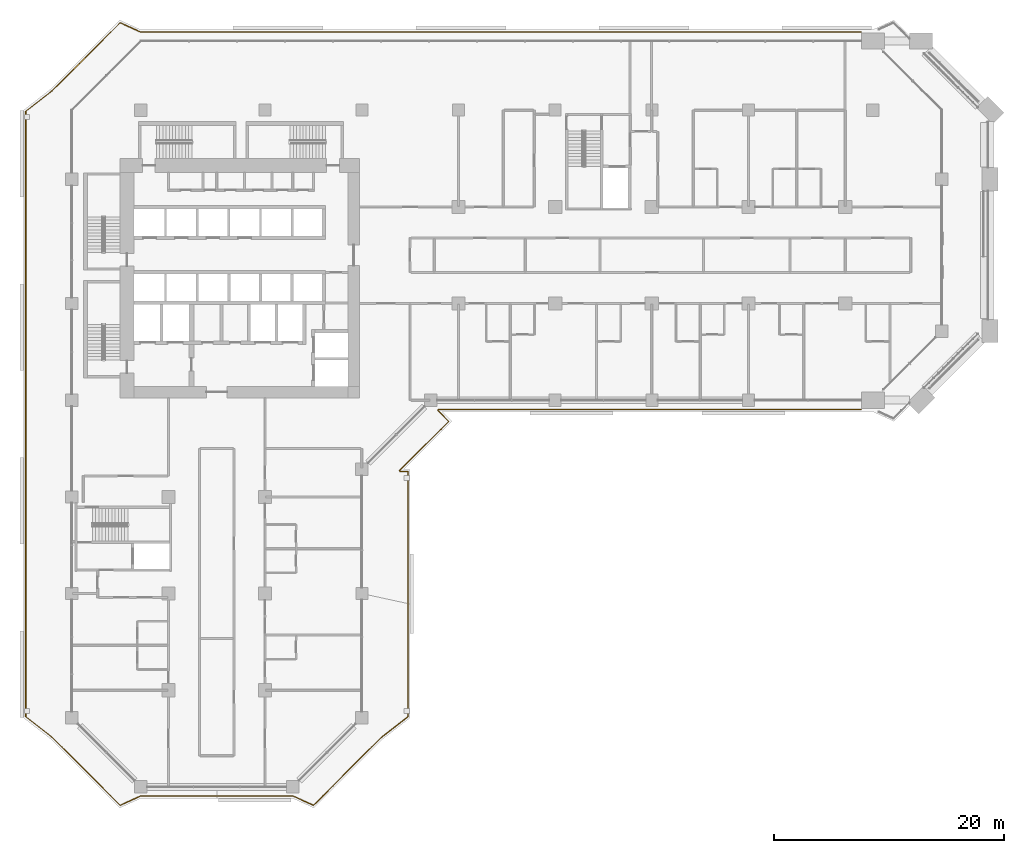
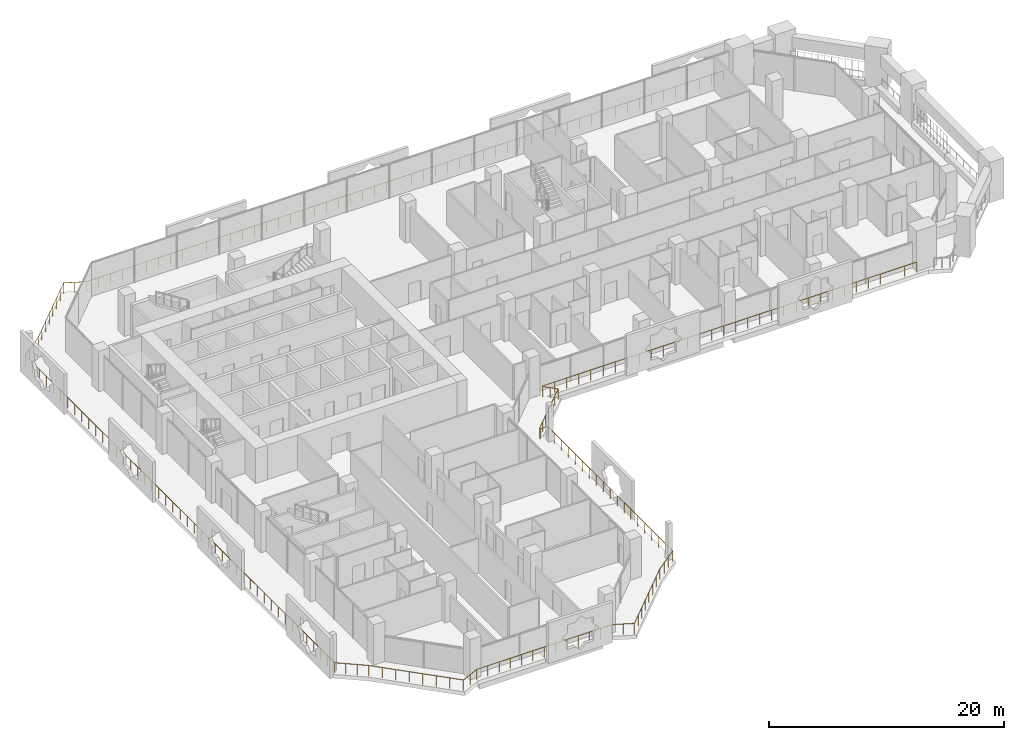
# One storey, part 23 of 25: 1 railing.
"""IFC4 building model written with IfcOpenShell, lengths in metres."""

from ifc_helpers import new_model, si_unit, direction, frame, origin, origin_2d, place, context, subcontext, project, spatial, circle, extrude, material, type_object, element, save


model = new_model("IFC4")

# Units and contexts
model_context = context("Model", 3, precision=1e-05, world=origin(), true_north=direction((0.0, 1.0)))
body_context = subcontext(model_context, "Body", "Model", "MODEL_VIEW")
ifc_project = project(units=[si_unit("LENGTHUNIT", "METRE"), si_unit("AREAUNIT", "SQUARE_METRE"), si_unit("VOLUMEUNIT", "CUBIC_METRE"), si_unit("PLANEANGLEUNIT", "RADIAN"), si_unit("MASSUNIT", "GRAM", prefix="KILO")], contexts=[model_context])

# Site, building, storey
site_placement = place(None, origin())
site = spatial("IfcSite", under=ifc_project, at=site_placement, CompositionType="ELEMENT")
building_placement = place(site_placement, origin())
building = spatial("IfcBuilding", under=site, at=building_placement, Name="Kawkab Arch Medical Tower", CompositionType="ELEMENT")
storey_placement = place(building_placement, frame((0.0, 0.0, 111.39990234375)))
storey = spatial("IfcBuildingStorey", under=building, at=storey_placement, Name="L25", CompositionType="ELEMENT", Elevation=111.39990234375)

# Railing
ifc_material = material(Name="Bronze anodised aluminium guard", Category="aluminium")
railing_type = type_object("IfcRailingType", Name="Loggia and terrace guard 1100", PredefinedType="GUARDRAIL", material=ifc_material)
railing_placement = place(storey_placement, frame((68.570068359375, -26.0, 0.0)))
element("IfcRailing", 1, at=railing_placement, inside=storey, type_object=railing_type, Name="Guard L25.LOG-01.1.2", PredefinedType="GUARDRAIL", context=body_context, shape_type="SweptSolid", body=[
    extrude(circle(Radius=0.02392578125, at=origin_2d()), frame((0.0, 0.0, 1.076171875), z_axis=(-1.0, 0.0, 0.0), x_axis=(0.0, -1.0, 0.0)), (0.0, 0.0, 1.0), 36.719970703125),
    extrude(circle(Radius=0.02392578125, at=origin_2d()), frame((-36.719970703125, 0.0, 1.076171875), z_axis=(-0.383763674343, -0.923431341387, 0.0), x_axis=(0.923431341387, -0.383763674343, 0.0)), (0.0, 0.0, 1.0), 0.101806640625),
    extrude(circle(Radius=0.02392578125, at=origin_2d()), frame((-36.759033203125, -0.093994140625, 1.076171875), z_axis=(0.707015335112, -0.707198215437, 0.0), x_axis=(0.707198215437, 0.707015335112, 0.0)), (0.0, 0.0, 1.0), 1.3349609375),
    extrude(circle(Radius=0.02392578125, at=origin_2d()), frame((-35.815185546875, -1.0380859375, 1.076171875), z_axis=(-0.707025867263, -0.707187685852, 0.0), x_axis=(0.707187685852, -0.707025867263, 0.0)), (0.0, 0.0, 1.0), 6.034912109375),
    extrude(circle(Radius=0.02392578125, at=origin_2d()), frame((-40.08203125, -5.305908203125, 1.076171875), z_axis=(0.383763674343, -0.923431341387, 0.0), x_axis=(0.923431341387, 0.383763674343, 0.0)), (0.0, 0.0, 1.0), 0.101806640625),
    extrude(circle(Radius=0.02392578125, at=origin_2d()), frame((-40.04296875, -5.39990234375, 1.076171875), z_axis=(1.0, 0.0, 0.0), x_axis=(0.0, 1.0, 0.0)), (0.0, 0.0, 1.0), 0.6728515625),
    extrude(circle(Radius=0.02392578125, at=origin_2d()), frame((-39.3701171875, -5.39990234375, 1.076171875), z_axis=(0.0, -1.0, 0.0), x_axis=(1.0, 0.0, 0.0)), (0.0, 0.0, 1.0), 21.302001953125),
    extrude(circle(Radius=0.02392578125, at=origin_2d()), frame((-39.3701171875, -26.701904296875, 1.076171875), z_axis=(-0.789153273162, -0.614196313452, 0.0), x_axis=(0.614196313452, -0.789153273162, 0.0)), (0.0, 0.0, 1.0), 2.908203125),
    extrude(circle(Radius=0.02392578125, at=origin_2d()), frame((-41.6650390625, -28.488037109375, 1.076171875), z_axis=(-0.707106781187, -0.707106781187, 0.0), x_axis=(0.707106781187, -0.707106781187, 0.0)), (0.0, 0.0, 1.0), 8.35791015625),
    extrude(circle(Radius=0.02392578125, at=origin_2d()), frame((-47.574951171875, -34.39794921875, 1.076171875), z_axis=(-0.910092688388, 0.414404752076, 0.0), x_axis=(-0.414404752076, -0.910092688388, 0.0)), (0.0, 0.0, 1.0), 1.92529296875),
    extrude(circle(Radius=0.02392578125, at=origin_2d()), frame((-49.3271484375, -33.60009765625, 1.076171875), z_axis=(-1.0, 0.0, 0.0), x_axis=(0.0, -1.0, 0.0)), (0.0, 0.0, 1.0), 13.285888671875),
    extrude(circle(Radius=0.02392578125, at=origin_2d()), frame((-62.613037109375, -33.60009765625, 1.076171875), z_axis=(-0.910070907914, -0.414452581809, 0.0), x_axis=(0.414452581809, -0.910070907914, 0.0)), (0.0, 0.0, 1.0), 1.925048828125),
    extrude(circle(Radius=0.02392578125, at=origin_2d()), frame((-64.364990234375, -34.39794921875, 1.076171875), z_axis=(-0.707121386154, 0.707092175918, 0.0), x_axis=(-0.707092175918, -0.707121386154, 0.0)), (0.0, 0.0, 1.0), 8.358154296875),
    extrude(circle(Radius=0.02392578125, at=origin_2d()), frame((-70.275146484375, -28.488037109375, 1.076171875), z_axis=(-0.789153273162, 0.614196313452, 0.0), x_axis=(-0.614196313452, -0.789153273162, 0.0)), (0.0, 0.0, 1.0), 2.908203125),
    extrude(circle(Radius=0.02392578125, at=origin_2d()), frame((-72.570068359375, -26.701904296875, 1.076171875), z_axis=(0.0, 1.0, 0.0), x_axis=(-1.0, 0.0, 0.0)), (0.0, 0.0, 1.0), 52.60400390625),
    extrude(circle(Radius=0.02392578125, at=origin_2d()), frame((-72.570068359375, 25.902099609375, 1.076171875), z_axis=(0.789193964876, 0.614144026922, 0.0), x_axis=(-0.614144026922, 0.789193964876, 0.0)), (0.0, 0.0, 1.0), 2.907958984375),
    extrude(circle(Radius=0.02392578125, at=origin_2d()), frame((-70.275146484375, 27.68798828125, 1.076171875), z_axis=(0.707121386154, 0.707092175918, 0.0), x_axis=(-0.707092175918, 0.707121386154, 0.0)), (0.0, 0.0, 1.0), 8.358154296875),
    extrude(circle(Radius=0.02392578125, at=origin_2d()), frame((-64.364990234375, 33.597900390625, 1.076171875), z_axis=(0.910070907914, -0.414452581809, 0.0), x_axis=(0.414452581809, 0.910070907914, 0.0)), (0.0, 0.0, 1.0), 1.925048828125),
    extrude(circle(Radius=0.02392578125, at=origin_2d()), frame((-62.613037109375, 32.800048828125, 1.076171875), z_axis=(1.0, 0.0, 0.0), x_axis=(0.0, 1.0, 0.0)), (0.0, 0.0, 1.0), 62.613037109375),
    extrude(circle(Radius=0.02099609375, at=origin_2d()), origin(), (0.0, 0.0, 1.0), 1.052001953125),
    extrude(circle(Radius=0.02099609375, at=origin_2d()), frame((-1.1845703125, 0.0, 0.0)), (0.0, 0.0, 1.0), 1.052001953125),
    extrude(circle(Radius=0.02099609375, at=origin_2d()), frame((-2.369140625, 0.0, 0.0)), (0.0, 0.0, 1.0), 1.052001953125),
    extrude(circle(Radius=0.02099609375, at=origin_2d()), frame((-3.553466796875, 0.0, 0.0)), (0.0, 0.0, 1.0), 1.052001953125),
    extrude(circle(Radius=0.02099609375, at=origin_2d()), frame((-4.738037109375, 0.0, 0.0)), (0.0, 0.0, 1.0), 1.052001953125),
    extrude(circle(Radius=0.02099609375, at=origin_2d()), frame((-5.922607421875, 0.0, 0.0)), (0.0, 0.0, 1.0), 1.052001953125),
    extrude(circle(Radius=0.02099609375, at=origin_2d()), frame((-7.107177734375, 0.0, 0.0)), (0.0, 0.0, 1.0), 1.052001953125),
    extrude(circle(Radius=0.02099609375, at=origin_2d()), frame((-8.29150390625, 0.0, 0.0)), (0.0, 0.0, 1.0), 1.052001953125),
    extrude(circle(Radius=0.02099609375, at=origin_2d()), frame((-9.47607421875, 0.0, 0.0)), (0.0, 0.0, 1.0), 1.052001953125),
    extrude(circle(Radius=0.02099609375, at=origin_2d()), frame((-10.66064453125, 0.0, 0.0)), (0.0, 0.0, 1.0), 1.052001953125),
    extrude(circle(Radius=0.02099609375, at=origin_2d()), frame((-11.84521484375, 0.0, 0.0)), (0.0, 0.0, 1.0), 1.052001953125),
    extrude(circle(Radius=0.02099609375, at=origin_2d()), frame((-13.02978515625, 0.0, 0.0)), (0.0, 0.0, 1.0), 1.052001953125),
    extrude(circle(Radius=0.02099609375, at=origin_2d()), frame((-14.214111328125, 0.0, 0.0)), (0.0, 0.0, 1.0), 1.052001953125),
    extrude(circle(Radius=0.02099609375, at=origin_2d()), frame((-15.398681640625, 0.0, 0.0)), (0.0, 0.0, 1.0), 1.052001953125),
    extrude(circle(Radius=0.02099609375, at=origin_2d()), frame((-16.583251953125, 0.0, 0.0)), (0.0, 0.0, 1.0), 1.052001953125),
    extrude(circle(Radius=0.02099609375, at=origin_2d()), frame((-17.767822265625, 0.0, 0.0)), (0.0, 0.0, 1.0), 1.052001953125),
    extrude(circle(Radius=0.02099609375, at=origin_2d()), frame((-18.9521484375, 0.0, 0.0)), (0.0, 0.0, 1.0), 1.052001953125),
    extrude(circle(Radius=0.02099609375, at=origin_2d()), frame((-20.13671875, 0.0, 0.0)), (0.0, 0.0, 1.0), 1.052001953125),
    extrude(circle(Radius=0.02099609375, at=origin_2d()), frame((-21.3212890625, 0.0, 0.0)), (0.0, 0.0, 1.0), 1.052001953125),
    extrude(circle(Radius=0.02099609375, at=origin_2d()), frame((-22.505859375, 0.0, 0.0)), (0.0, 0.0, 1.0), 1.052001953125),
    extrude(circle(Radius=0.02099609375, at=origin_2d()), frame((-23.690185546875, 0.0, 0.0)), (0.0, 0.0, 1.0), 1.052001953125),
    extrude(circle(Radius=0.02099609375, at=origin_2d()), frame((-24.874755859375, 0.0, 0.0)), (0.0, 0.0, 1.0), 1.052001953125),
    extrude(circle(Radius=0.02099609375, at=origin_2d()), frame((-26.059326171875, 0.0, 0.0)), (0.0, 0.0, 1.0), 1.052001953125),
    extrude(circle(Radius=0.02099609375, at=origin_2d()), frame((-27.243896484375, 0.0, 0.0)), (0.0, 0.0, 1.0), 1.052001953125),
    extrude(circle(Radius=0.02099609375, at=origin_2d()), frame((-28.428466796875, 0.0, 0.0)), (0.0, 0.0, 1.0), 1.052001953125),
    extrude(circle(Radius=0.02099609375, at=origin_2d()), frame((-29.61279296875, 0.0, 0.0)), (0.0, 0.0, 1.0), 1.052001953125),
    extrude(circle(Radius=0.02099609375, at=origin_2d()), frame((-30.79736328125, 0.0, 0.0)), (0.0, 0.0, 1.0), 1.052001953125),
    extrude(circle(Radius=0.02099609375, at=origin_2d()), frame((-31.98193359375, 0.0, 0.0)), (0.0, 0.0, 1.0), 1.052001953125),
    extrude(circle(Radius=0.02099609375, at=origin_2d()), frame((-33.16650390625, 0.0, 0.0)), (0.0, 0.0, 1.0), 1.052001953125),
    extrude(circle(Radius=0.02099609375, at=origin_2d()), frame((-34.350830078125, 0.0, 0.0)), (0.0, 0.0, 1.0), 1.052001953125),
    extrude(circle(Radius=0.02099609375, at=origin_2d()), frame((-35.535400390625, 0.0, 0.0)), (0.0, 0.0, 1.0), 1.052001953125),
    extrude(circle(Radius=0.02099609375, at=origin_2d()), frame((-36.719970703125, 0.0, 0.0)), (0.0, 0.0, 1.0), 1.052001953125),
    extrude(circle(Radius=0.02099609375, at=origin_2d()), frame((-36.759033203125, -0.093994140625, 0.0)), (0.0, 0.0, 1.0), 1.052001953125),
    extrude(circle(Radius=0.02099609375, at=origin_2d()), frame((-36.287109375, -0.56591796875, 0.0)), (0.0, 0.0, 1.0), 1.052001953125),
    extrude(circle(Radius=0.02099609375, at=origin_2d()), frame((-35.815185546875, -1.0380859375, 0.0)), (0.0, 0.0, 1.0), 1.052001953125),
    extrude(circle(Radius=0.02099609375, at=origin_2d()), frame((-36.5263671875, -1.74951171875, 0.0)), (0.0, 0.0, 1.0), 1.052001953125),
    extrude(circle(Radius=0.02099609375, at=origin_2d()), frame((-37.237548828125, -2.460693359375, 0.0)), (0.0, 0.0, 1.0), 1.052001953125),
    extrude(circle(Radius=0.02099609375, at=origin_2d()), frame((-37.94873046875, -3.171875, 0.0)), (0.0, 0.0, 1.0), 1.052001953125),
    extrude(circle(Radius=0.02099609375, at=origin_2d()), frame((-38.65966796875, -3.88330078125, 0.0)), (0.0, 0.0, 1.0), 1.052001953125),
    extrude(circle(Radius=0.02099609375, at=origin_2d()), frame((-39.370849609375, -4.5947265625, 0.0)), (0.0, 0.0, 1.0), 1.052001953125),
    extrude(circle(Radius=0.02099609375, at=origin_2d()), frame((-40.08203125, -5.305908203125, 0.0)), (0.0, 0.0, 1.0), 1.052001953125),
    extrude(circle(Radius=0.02099609375, at=origin_2d()), frame((-40.04296875, -5.39990234375, 0.0)), (0.0, 0.0, 1.0), 1.052001953125),
    extrude(circle(Radius=0.02099609375, at=origin_2d()), frame((-39.3701171875, -5.39990234375, 0.0)), (0.0, 0.0, 1.0), 1.052001953125),
    extrude(circle(Radius=0.02099609375, at=origin_2d()), frame((-39.3701171875, -6.583251953125, 0.0)), (0.0, 0.0, 1.0), 1.052001953125),
    extrude(circle(Radius=0.02099609375, at=origin_2d()), frame((-39.3701171875, -7.766845703125, 0.0)), (0.0, 0.0, 1.0), 1.052001953125),
    extrude(circle(Radius=0.02099609375, at=origin_2d()), frame((-39.3701171875, -8.9501953125, 0.0)), (0.0, 0.0, 1.0), 1.052001953125),
    extrude(circle(Radius=0.02099609375, at=origin_2d()), frame((-39.3701171875, -10.1337890625, 0.0)), (0.0, 0.0, 1.0), 1.052001953125),
    extrude(circle(Radius=0.02099609375, at=origin_2d()), frame((-39.3701171875, -11.317138671875, 0.0)), (0.0, 0.0, 1.0), 1.052001953125),
    extrude(circle(Radius=0.02099609375, at=origin_2d()), frame((-39.3701171875, -12.50048828125, 0.0)), (0.0, 0.0, 1.0), 1.052001953125),
    extrude(circle(Radius=0.02099609375, at=origin_2d()), frame((-39.3701171875, -13.68408203125, 0.0)), (0.0, 0.0, 1.0), 1.052001953125),
    extrude(circle(Radius=0.02099609375, at=origin_2d()), frame((-39.3701171875, -14.867431640625, 0.0)), (0.0, 0.0, 1.0), 1.052001953125),
    extrude(circle(Radius=0.02099609375, at=origin_2d()), frame((-39.3701171875, -16.05078125, 0.0)), (0.0, 0.0, 1.0), 1.052001953125),
    extrude(circle(Radius=0.02099609375, at=origin_2d()), frame((-39.3701171875, -17.234375, 0.0)), (0.0, 0.0, 1.0), 1.052001953125),
    extrude(circle(Radius=0.02099609375, at=origin_2d()), frame((-39.3701171875, -18.417724609375, 0.0)), (0.0, 0.0, 1.0), 1.052001953125),
    extrude(circle(Radius=0.02099609375, at=origin_2d()), frame((-39.3701171875, -19.601318359375, 0.0)), (0.0, 0.0, 1.0), 1.052001953125),
    extrude(circle(Radius=0.02099609375, at=origin_2d()), frame((-39.3701171875, -20.78466796875, 0.0)), (0.0, 0.0, 1.0), 1.052001953125),
    extrude(circle(Radius=0.02099609375, at=origin_2d()), frame((-39.3701171875, -21.968017578125, 0.0)), (0.0, 0.0, 1.0), 1.052001953125),
    extrude(circle(Radius=0.02099609375, at=origin_2d()), frame((-39.3701171875, -23.151611328125, 0.0)), (0.0, 0.0, 1.0), 1.052001953125),
    extrude(circle(Radius=0.02099609375, at=origin_2d()), frame((-39.3701171875, -24.3349609375, 0.0)), (0.0, 0.0, 1.0), 1.052001953125),
    extrude(circle(Radius=0.02099609375, at=origin_2d()), frame((-39.3701171875, -25.5185546875, 0.0)), (0.0, 0.0, 1.0), 1.052001953125),
    extrude(circle(Radius=0.02099609375, at=origin_2d()), frame((-39.3701171875, -26.701904296875, 0.0)), (0.0, 0.0, 1.0), 1.052001953125),
    extrude(circle(Radius=0.02099609375, at=origin_2d()), frame((-40.135009765625, -27.29736328125, 0.0)), (0.0, 0.0, 1.0), 1.052001953125),
    extrude(circle(Radius=0.02099609375, at=origin_2d()), frame((-40.900146484375, -27.892578125, 0.0)), (0.0, 0.0, 1.0), 1.052001953125),
    extrude(circle(Radius=0.02099609375, at=origin_2d()), frame((-41.6650390625, -28.488037109375, 0.0)), (0.0, 0.0, 1.0), 1.052001953125),
    extrude(circle(Radius=0.02099609375, at=origin_2d()), frame((-42.50927734375, -29.332275390625, 0.0)), (0.0, 0.0, 1.0), 1.052001953125),
    extrude(circle(Radius=0.02099609375, at=origin_2d()), frame((-43.353515625, -30.176513671875, 0.0)), (0.0, 0.0, 1.0), 1.052001953125),
    extrude(circle(Radius=0.02099609375, at=origin_2d()), frame((-44.19775390625, -31.020751953125, 0.0)), (0.0, 0.0, 1.0), 1.052001953125),
    extrude(circle(Radius=0.02099609375, at=origin_2d()), frame((-45.042236328125, -31.865234375, 0.0)), (0.0, 0.0, 1.0), 1.052001953125),
    extrude(circle(Radius=0.02099609375, at=origin_2d()), frame((-45.886474609375, -32.70947265625, 0.0)), (0.0, 0.0, 1.0), 1.052001953125),
    extrude(circle(Radius=0.02099609375, at=origin_2d()), frame((-46.730712890625, -33.5537109375, 0.0)), (0.0, 0.0, 1.0), 1.052001953125),
    extrude(circle(Radius=0.02099609375, at=origin_2d()), frame((-47.574951171875, -34.39794921875, 0.0)), (0.0, 0.0, 1.0), 1.052001953125),
    extrude(circle(Radius=0.02099609375, at=origin_2d()), frame((-48.451171875, -33.9990234375, 0.0)), (0.0, 0.0, 1.0), 1.052001953125),
    extrude(circle(Radius=0.02099609375, at=origin_2d()), frame((-49.3271484375, -33.60009765625, 0.0)), (0.0, 0.0, 1.0), 1.052001953125),
    extrude(circle(Radius=0.02099609375, at=origin_2d()), frame((-50.434326171875, -33.60009765625, 0.0)), (0.0, 0.0, 1.0), 1.052001953125),
    extrude(circle(Radius=0.02099609375, at=origin_2d()), frame((-51.54150390625, -33.60009765625, 0.0)), (0.0, 0.0, 1.0), 1.052001953125),
    extrude(circle(Radius=0.02099609375, at=origin_2d()), frame((-52.648681640625, -33.60009765625, 0.0)), (0.0, 0.0, 1.0), 1.052001953125),
    extrude(circle(Radius=0.02099609375, at=origin_2d()), frame((-53.755859375, -33.60009765625, 0.0)), (0.0, 0.0, 1.0), 1.052001953125),
    extrude(circle(Radius=0.02099609375, at=origin_2d()), frame((-54.863037109375, -33.60009765625, 0.0)), (0.0, 0.0, 1.0), 1.052001953125),
    extrude(circle(Radius=0.02099609375, at=origin_2d()), frame((-55.97021484375, -33.60009765625, 0.0)), (0.0, 0.0, 1.0), 1.052001953125),
    extrude(circle(Radius=0.02099609375, at=origin_2d()), frame((-57.0771484375, -33.60009765625, 0.0)), (0.0, 0.0, 1.0), 1.052001953125),
    extrude(circle(Radius=0.02099609375, at=origin_2d()), frame((-58.184326171875, -33.60009765625, 0.0)), (0.0, 0.0, 1.0), 1.052001953125),
    extrude(circle(Radius=0.02099609375, at=origin_2d()), frame((-59.29150390625, -33.60009765625, 0.0)), (0.0, 0.0, 1.0), 1.052001953125),
    extrude(circle(Radius=0.02099609375, at=origin_2d()), frame((-60.398681640625, -33.60009765625, 0.0)), (0.0, 0.0, 1.0), 1.052001953125),
    extrude(circle(Radius=0.02099609375, at=origin_2d()), frame((-61.505859375, -33.60009765625, 0.0)), (0.0, 0.0, 1.0), 1.052001953125),
    extrude(circle(Radius=0.02099609375, at=origin_2d()), frame((-62.613037109375, -33.60009765625, 0.0)), (0.0, 0.0, 1.0), 1.052001953125),
    extrude(circle(Radius=0.02099609375, at=origin_2d()), frame((-63.489013671875, -33.9990234375, 0.0)), (0.0, 0.0, 1.0), 1.052001953125),
    extrude(circle(Radius=0.02099609375, at=origin_2d()), frame((-64.364990234375, -34.39794921875, 0.0)), (0.0, 0.0, 1.0), 1.052001953125),
    extrude(circle(Radius=0.02099609375, at=origin_2d()), frame((-65.209228515625, -33.5537109375, 0.0)), (0.0, 0.0, 1.0), 1.052001953125),
    extrude(circle(Radius=0.02099609375, at=origin_2d()), frame((-66.0537109375, -32.70947265625, 0.0)), (0.0, 0.0, 1.0), 1.052001953125),
    extrude(circle(Radius=0.02099609375, at=origin_2d()), frame((-66.89794921875, -31.865234375, 0.0)), (0.0, 0.0, 1.0), 1.052001953125),
    extrude(circle(Radius=0.02099609375, at=origin_2d()), frame((-67.7421875, -31.020751953125, 0.0)), (0.0, 0.0, 1.0), 1.052001953125),
    extrude(circle(Radius=0.02099609375, at=origin_2d()), frame((-68.58642578125, -30.176513671875, 0.0)), (0.0, 0.0, 1.0), 1.052001953125),
    extrude(circle(Radius=0.02099609375, at=origin_2d()), frame((-69.430908203125, -29.332275390625, 0.0)), (0.0, 0.0, 1.0), 1.052001953125),
    extrude(circle(Radius=0.02099609375, at=origin_2d()), frame((-70.275146484375, -28.488037109375, 0.0)), (0.0, 0.0, 1.0), 1.052001953125),
    extrude(circle(Radius=0.02099609375, at=origin_2d()), frame((-71.0400390625, -27.892578125, 0.0)), (0.0, 0.0, 1.0), 1.052001953125),
    extrude(circle(Radius=0.02099609375, at=origin_2d()), frame((-71.80517578125, -27.29736328125, 0.0)), (0.0, 0.0, 1.0), 1.052001953125),
    extrude(circle(Radius=0.02099609375, at=origin_2d()), frame((-72.570068359375, -26.701904296875, 0.0)), (0.0, 0.0, 1.0), 1.052001953125),
    extrude(circle(Radius=0.02099609375, at=origin_2d()), frame((-72.570068359375, -25.50634765625, 0.0)), (0.0, 0.0, 1.0), 1.052001953125),
    extrude(circle(Radius=0.02099609375, at=origin_2d()), frame((-72.570068359375, -24.310791015625, 0.0)), (0.0, 0.0, 1.0), 1.052001953125),
    extrude(circle(Radius=0.02099609375, at=origin_2d()), frame((-72.570068359375, -23.115234375, 0.0)), (0.0, 0.0, 1.0), 1.052001953125),
    extrude(circle(Radius=0.02099609375, at=origin_2d()), frame((-72.570068359375, -21.919677734375, 0.0)), (0.0, 0.0, 1.0), 1.052001953125),
    extrude(circle(Radius=0.02099609375, at=origin_2d()), frame((-72.570068359375, -20.72412109375, 0.0)), (0.0, 0.0, 1.0), 1.052001953125),
    extrude(circle(Radius=0.02099609375, at=origin_2d()), frame((-72.570068359375, -19.528564453125, 0.0)), (0.0, 0.0, 1.0), 1.052001953125),
    extrude(circle(Radius=0.02099609375, at=origin_2d()), frame((-72.570068359375, -18.3330078125, 0.0)), (0.0, 0.0, 1.0), 1.052001953125),
    extrude(circle(Radius=0.02099609375, at=origin_2d()), frame((-72.570068359375, -17.137451171875, 0.0)), (0.0, 0.0, 1.0), 1.052001953125),
    extrude(circle(Radius=0.02099609375, at=origin_2d()), frame((-72.570068359375, -15.94189453125, 0.0)), (0.0, 0.0, 1.0), 1.052001953125),
    extrude(circle(Radius=0.02099609375, at=origin_2d()), frame((-72.570068359375, -14.746337890625, 0.0)), (0.0, 0.0, 1.0), 1.052001953125),
    extrude(circle(Radius=0.02099609375, at=origin_2d()), frame((-72.570068359375, -13.55078125, 0.0)), (0.0, 0.0, 1.0), 1.052001953125),
    extrude(circle(Radius=0.02099609375, at=origin_2d()), frame((-72.570068359375, -12.35546875, 0.0)), (0.0, 0.0, 1.0), 1.052001953125),
    extrude(circle(Radius=0.02099609375, at=origin_2d()), frame((-72.570068359375, -11.159912109375, 0.0)), (0.0, 0.0, 1.0), 1.052001953125),
    extrude(circle(Radius=0.02099609375, at=origin_2d()), frame((-72.570068359375, -9.96435546875, 0.0)), (0.0, 0.0, 1.0), 1.052001953125),
    extrude(circle(Radius=0.02099609375, at=origin_2d()), frame((-72.570068359375, -8.768798828125, 0.0)), (0.0, 0.0, 1.0), 1.052001953125),
    extrude(circle(Radius=0.02099609375, at=origin_2d()), frame((-72.570068359375, -7.5732421875, 0.0)), (0.0, 0.0, 1.0), 1.052001953125),
    extrude(circle(Radius=0.02099609375, at=origin_2d()), frame((-72.570068359375, -6.377685546875, 0.0)), (0.0, 0.0, 1.0), 1.052001953125),
    extrude(circle(Radius=0.02099609375, at=origin_2d()), frame((-72.570068359375, -5.18212890625, 0.0)), (0.0, 0.0, 1.0), 1.052001953125),
    extrude(circle(Radius=0.02099609375, at=origin_2d()), frame((-72.570068359375, -3.986572265625, 0.0)), (0.0, 0.0, 1.0), 1.052001953125),
    extrude(circle(Radius=0.02099609375, at=origin_2d()), frame((-72.570068359375, -2.791015625, 0.0)), (0.0, 0.0, 1.0), 1.052001953125),
    extrude(circle(Radius=0.02099609375, at=origin_2d()), frame((-72.570068359375, -1.595458984375, 0.0)), (0.0, 0.0, 1.0), 1.052001953125),
    extrude(circle(Radius=0.02099609375, at=origin_2d()), frame((-72.570068359375, -0.39990234375, 0.0)), (0.0, 0.0, 1.0), 1.052001953125),
    extrude(circle(Radius=0.02099609375, at=origin_2d()), frame((-72.570068359375, 0.795654296875, 0.0)), (0.0, 0.0, 1.0), 1.052001953125),
    extrude(circle(Radius=0.02099609375, at=origin_2d()), frame((-72.570068359375, 1.9912109375, 0.0)), (0.0, 0.0, 1.0), 1.052001953125),
    extrude(circle(Radius=0.02099609375, at=origin_2d()), frame((-72.570068359375, 3.186767578125, 0.0)), (0.0, 0.0, 1.0), 1.052001953125),
    extrude(circle(Radius=0.02099609375, at=origin_2d()), frame((-72.570068359375, 4.38232421875, 0.0)), (0.0, 0.0, 1.0), 1.052001953125),
    extrude(circle(Radius=0.02099609375, at=origin_2d()), frame((-72.570068359375, 5.577880859375, 0.0)), (0.0, 0.0, 1.0), 1.052001953125),
    extrude(circle(Radius=0.02099609375, at=origin_2d()), frame((-72.570068359375, 6.7734375, 0.0)), (0.0, 0.0, 1.0), 1.052001953125),
    extrude(circle(Radius=0.02099609375, at=origin_2d()), frame((-72.570068359375, 7.968994140625, 0.0)), (0.0, 0.0, 1.0), 1.052001953125),
    extrude(circle(Radius=0.02099609375, at=origin_2d()), frame((-72.570068359375, 9.16455078125, 0.0)), (0.0, 0.0, 1.0), 1.052001953125),
    extrude(circle(Radius=0.02099609375, at=origin_2d()), frame((-72.570068359375, 10.360107421875, 0.0)), (0.0, 0.0, 1.0), 1.052001953125),
    extrude(circle(Radius=0.02099609375, at=origin_2d()), frame((-72.570068359375, 11.5556640625, 0.0)), (0.0, 0.0, 1.0), 1.052001953125),
    extrude(circle(Radius=0.02099609375, at=origin_2d()), frame((-72.570068359375, 12.7509765625, 0.0)), (0.0, 0.0, 1.0), 1.052001953125),
    extrude(circle(Radius=0.02099609375, at=origin_2d()), frame((-72.570068359375, 13.946533203125, 0.0)), (0.0, 0.0, 1.0), 1.052001953125),
    extrude(circle(Radius=0.02099609375, at=origin_2d()), frame((-72.570068359375, 15.14208984375, 0.0)), (0.0, 0.0, 1.0), 1.052001953125),
    extrude(circle(Radius=0.02099609375, at=origin_2d()), frame((-72.570068359375, 16.337646484375, 0.0)), (0.0, 0.0, 1.0), 1.052001953125),
    extrude(circle(Radius=0.02099609375, at=origin_2d()), frame((-72.570068359375, 17.533203125, 0.0)), (0.0, 0.0, 1.0), 1.052001953125),
    extrude(circle(Radius=0.02099609375, at=origin_2d()), frame((-72.570068359375, 18.728759765625, 0.0)), (0.0, 0.0, 1.0), 1.052001953125),
    extrude(circle(Radius=0.02099609375, at=origin_2d()), frame((-72.570068359375, 19.92431640625, 0.0)), (0.0, 0.0, 1.0), 1.052001953125),
    extrude(circle(Radius=0.02099609375, at=origin_2d()), frame((-72.570068359375, 21.119873046875, 0.0)), (0.0, 0.0, 1.0), 1.052001953125),
    extrude(circle(Radius=0.02099609375, at=origin_2d()), frame((-72.570068359375, 22.3154296875, 0.0)), (0.0, 0.0, 1.0), 1.052001953125),
    extrude(circle(Radius=0.02099609375, at=origin_2d()), frame((-72.570068359375, 23.510986328125, 0.0)), (0.0, 0.0, 1.0), 1.052001953125),
    extrude(circle(Radius=0.02099609375, at=origin_2d()), frame((-72.570068359375, 24.70654296875, 0.0)), (0.0, 0.0, 1.0), 1.052001953125),
    extrude(circle(Radius=0.02099609375, at=origin_2d()), frame((-72.570068359375, 25.902099609375, 0.0)), (0.0, 0.0, 1.0), 1.052001953125),
    extrude(circle(Radius=0.02099609375, at=origin_2d()), frame((-71.80517578125, 26.497314453125, 0.0)), (0.0, 0.0, 1.0), 1.052001953125),
    extrude(circle(Radius=0.02099609375, at=origin_2d()), frame((-71.0400390625, 27.0927734375, 0.0)), (0.0, 0.0, 1.0), 1.052001953125),
    extrude(circle(Radius=0.02099609375, at=origin_2d()), frame((-70.275146484375, 27.68798828125, 0.0)), (0.0, 0.0, 1.0), 1.052001953125),
    extrude(circle(Radius=0.02099609375, at=origin_2d()), frame((-69.430908203125, 28.5322265625, 0.0)), (0.0, 0.0, 1.0), 1.052001953125),
    extrude(circle(Radius=0.02099609375, at=origin_2d()), frame((-68.58642578125, 29.37646484375, 0.0)), (0.0, 0.0, 1.0), 1.052001953125),
    extrude(circle(Radius=0.02099609375, at=origin_2d()), frame((-67.7421875, 30.220703125, 0.0)), (0.0, 0.0, 1.0), 1.052001953125),
    extrude(circle(Radius=0.02099609375, at=origin_2d()), frame((-66.89794921875, 31.065185546875, 0.0)), (0.0, 0.0, 1.0), 1.052001953125),
    extrude(circle(Radius=0.02099609375, at=origin_2d()), frame((-66.0537109375, 31.909423828125, 0.0)), (0.0, 0.0, 1.0), 1.052001953125),
    extrude(circle(Radius=0.02099609375, at=origin_2d()), frame((-65.209228515625, 32.753662109375, 0.0)), (0.0, 0.0, 1.0), 1.052001953125),
    extrude(circle(Radius=0.02099609375, at=origin_2d()), frame((-64.364990234375, 33.597900390625, 0.0)), (0.0, 0.0, 1.0), 1.052001953125),
    extrude(circle(Radius=0.02099609375, at=origin_2d()), frame((-63.489013671875, 33.198974609375, 0.0)), (0.0, 0.0, 1.0), 1.052001953125),
    extrude(circle(Radius=0.02099609375, at=origin_2d()), frame((-62.613037109375, 32.800048828125, 0.0)), (0.0, 0.0, 1.0), 1.052001953125),
    extrude(circle(Radius=0.02099609375, at=origin_2d()), frame((-61.431640625, 32.800048828125, 0.0)), (0.0, 0.0, 1.0), 1.052001953125),
    extrude(circle(Radius=0.02099609375, at=origin_2d()), frame((-60.250244140625, 32.800048828125, 0.0)), (0.0, 0.0, 1.0), 1.052001953125),
    extrude(circle(Radius=0.02099609375, at=origin_2d()), frame((-59.06884765625, 32.800048828125, 0.0)), (0.0, 0.0, 1.0), 1.052001953125),
    extrude(circle(Radius=0.02099609375, at=origin_2d()), frame((-57.887451171875, 32.800048828125, 0.0)), (0.0, 0.0, 1.0), 1.052001953125),
    extrude(circle(Radius=0.02099609375, at=origin_2d()), frame((-56.7060546875, 32.800048828125, 0.0)), (0.0, 0.0, 1.0), 1.052001953125),
    extrude(circle(Radius=0.02099609375, at=origin_2d()), frame((-55.524658203125, 32.800048828125, 0.0)), (0.0, 0.0, 1.0), 1.052001953125),
    extrude(circle(Radius=0.02099609375, at=origin_2d()), frame((-54.343505859375, 32.800048828125, 0.0)), (0.0, 0.0, 1.0), 1.052001953125),
    extrude(circle(Radius=0.02099609375, at=origin_2d()), frame((-53.162109375, 32.800048828125, 0.0)), (0.0, 0.0, 1.0), 1.052001953125),
    extrude(circle(Radius=0.02099609375, at=origin_2d()), frame((-51.980712890625, 32.800048828125, 0.0)), (0.0, 0.0, 1.0), 1.052001953125),
    extrude(circle(Radius=0.02099609375, at=origin_2d()), frame((-50.79931640625, 32.800048828125, 0.0)), (0.0, 0.0, 1.0), 1.052001953125),
    extrude(circle(Radius=0.02099609375, at=origin_2d()), frame((-49.617919921875, 32.800048828125, 0.0)), (0.0, 0.0, 1.0), 1.052001953125),
    extrude(circle(Radius=0.02099609375, at=origin_2d()), frame((-48.4365234375, 32.800048828125, 0.0)), (0.0, 0.0, 1.0), 1.052001953125),
    extrude(circle(Radius=0.02099609375, at=origin_2d()), frame((-47.255126953125, 32.800048828125, 0.0)), (0.0, 0.0, 1.0), 1.052001953125),
    extrude(circle(Radius=0.02099609375, at=origin_2d()), frame((-46.07373046875, 32.800048828125, 0.0)), (0.0, 0.0, 1.0), 1.052001953125),
    extrude(circle(Radius=0.02099609375, at=origin_2d()), frame((-44.892333984375, 32.800048828125, 0.0)), (0.0, 0.0, 1.0), 1.052001953125),
    extrude(circle(Radius=0.02099609375, at=origin_2d()), frame((-43.7109375, 32.800048828125, 0.0)), (0.0, 0.0, 1.0), 1.052001953125),
    extrude(circle(Radius=0.02099609375, at=origin_2d()), frame((-42.529541015625, 32.800048828125, 0.0)), (0.0, 0.0, 1.0), 1.052001953125),
    extrude(circle(Radius=0.02099609375, at=origin_2d()), frame((-41.34814453125, 32.800048828125, 0.0)), (0.0, 0.0, 1.0), 1.052001953125),
    extrude(circle(Radius=0.02099609375, at=origin_2d()), frame((-40.166748046875, 32.800048828125, 0.0)), (0.0, 0.0, 1.0), 1.052001953125),
    extrude(circle(Radius=0.02099609375, at=origin_2d()), frame((-38.985595703125, 32.800048828125, 0.0)), (0.0, 0.0, 1.0), 1.052001953125),
    extrude(circle(Radius=0.02099609375, at=origin_2d()), frame((-37.80419921875, 32.800048828125, 0.0)), (0.0, 0.0, 1.0), 1.052001953125),
    extrude(circle(Radius=0.02099609375, at=origin_2d()), frame((-36.622802734375, 32.800048828125, 0.0)), (0.0, 0.0, 1.0), 1.052001953125),
    extrude(circle(Radius=0.02099609375, at=origin_2d()), frame((-35.44140625, 32.800048828125, 0.0)), (0.0, 0.0, 1.0), 1.052001953125),
    extrude(circle(Radius=0.02099609375, at=origin_2d()), frame((-34.260009765625, 32.800048828125, 0.0)), (0.0, 0.0, 1.0), 1.052001953125),
    extrude(circle(Radius=0.02099609375, at=origin_2d()), frame((-33.07861328125, 32.800048828125, 0.0)), (0.0, 0.0, 1.0), 1.052001953125),
    extrude(circle(Radius=0.02099609375, at=origin_2d()), frame((-31.897216796875, 32.800048828125, 0.0)), (0.0, 0.0, 1.0), 1.052001953125),
    extrude(circle(Radius=0.02099609375, at=origin_2d()), frame((-30.7158203125, 32.800048828125, 0.0)), (0.0, 0.0, 1.0), 1.052001953125),
    extrude(circle(Radius=0.02099609375, at=origin_2d()), frame((-29.534423828125, 32.800048828125, 0.0)), (0.0, 0.0, 1.0), 1.052001953125),
    extrude(circle(Radius=0.02099609375, at=origin_2d()), frame((-28.35302734375, 32.800048828125, 0.0)), (0.0, 0.0, 1.0), 1.052001953125),
    extrude(circle(Radius=0.02099609375, at=origin_2d()), frame((-27.171630859375, 32.800048828125, 0.0)), (0.0, 0.0, 1.0), 1.052001953125),
    extrude(circle(Radius=0.02099609375, at=origin_2d()), frame((-25.990234375, 32.800048828125, 0.0)), (0.0, 0.0, 1.0), 1.052001953125),
    extrude(circle(Radius=0.02099609375, at=origin_2d()), frame((-24.808837890625, 32.800048828125, 0.0)), (0.0, 0.0, 1.0), 1.052001953125),
    extrude(circle(Radius=0.02099609375, at=origin_2d()), frame((-23.62744140625, 32.800048828125, 0.0)), (0.0, 0.0, 1.0), 1.052001953125),
    extrude(circle(Radius=0.02099609375, at=origin_2d()), frame((-22.4462890625, 32.800048828125, 0.0)), (0.0, 0.0, 1.0), 1.052001953125),
    extrude(circle(Radius=0.02099609375, at=origin_2d()), frame((-21.264892578125, 32.800048828125, 0.0)), (0.0, 0.0, 1.0), 1.052001953125),
    extrude(circle(Radius=0.02099609375, at=origin_2d()), frame((-20.08349609375, 32.800048828125, 0.0)), (0.0, 0.0, 1.0), 1.052001953125),
    extrude(circle(Radius=0.02099609375, at=origin_2d()), frame((-18.902099609375, 32.800048828125, 0.0)), (0.0, 0.0, 1.0), 1.052001953125),
    extrude(circle(Radius=0.02099609375, at=origin_2d()), frame((-17.720703125, 32.800048828125, 0.0)), (0.0, 0.0, 1.0), 1.052001953125),
    extrude(circle(Radius=0.02099609375, at=origin_2d()), frame((-16.539306640625, 32.800048828125, 0.0)), (0.0, 0.0, 1.0), 1.052001953125),
    extrude(circle(Radius=0.02099609375, at=origin_2d()), frame((-15.35791015625, 32.800048828125, 0.0)), (0.0, 0.0, 1.0), 1.052001953125),
    extrude(circle(Radius=0.02099609375, at=origin_2d()), frame((-14.176513671875, 32.800048828125, 0.0)), (0.0, 0.0, 1.0), 1.052001953125),
    extrude(circle(Radius=0.02099609375, at=origin_2d()), frame((-12.9951171875, 32.800048828125, 0.0)), (0.0, 0.0, 1.0), 1.052001953125),
    extrude(circle(Radius=0.02099609375, at=origin_2d()), frame((-11.813720703125, 32.800048828125, 0.0)), (0.0, 0.0, 1.0), 1.052001953125),
    extrude(circle(Radius=0.02099609375, at=origin_2d()), frame((-10.63232421875, 32.800048828125, 0.0)), (0.0, 0.0, 1.0), 1.052001953125),
    extrude(circle(Radius=0.02099609375, at=origin_2d()), frame((-9.450927734375, 32.800048828125, 0.0)), (0.0, 0.0, 1.0), 1.052001953125),
    extrude(circle(Radius=0.02099609375, at=origin_2d()), frame((-8.26953125, 32.800048828125, 0.0)), (0.0, 0.0, 1.0), 1.052001953125),
    extrude(circle(Radius=0.02099609375, at=origin_2d()), frame((-7.08837890625, 32.800048828125, 0.0)), (0.0, 0.0, 1.0), 1.052001953125),
    extrude(circle(Radius=0.02099609375, at=origin_2d()), frame((-5.906982421875, 32.800048828125, 0.0)), (0.0, 0.0, 1.0), 1.052001953125),
    extrude(circle(Radius=0.02099609375, at=origin_2d()), frame((-4.7255859375, 32.800048828125, 0.0)), (0.0, 0.0, 1.0), 1.052001953125),
    extrude(circle(Radius=0.02099609375, at=origin_2d()), frame((-3.544189453125, 32.800048828125, 0.0)), (0.0, 0.0, 1.0), 1.052001953125),
    extrude(circle(Radius=0.02099609375, at=origin_2d()), frame((-2.36279296875, 32.800048828125, 0.0)), (0.0, 0.0, 1.0), 1.052001953125),
    extrude(circle(Radius=0.02099609375, at=origin_2d()), frame((-1.181396484375, 32.800048828125, 0.0)), (0.0, 0.0, 1.0), 1.052001953125),
    extrude(circle(Radius=0.02099609375, at=origin_2d()), frame((0.0, 32.800048828125, 0.0)), (0.0, 0.0, 1.0), 1.052001953125),
])

save(model, "model.ifc")
